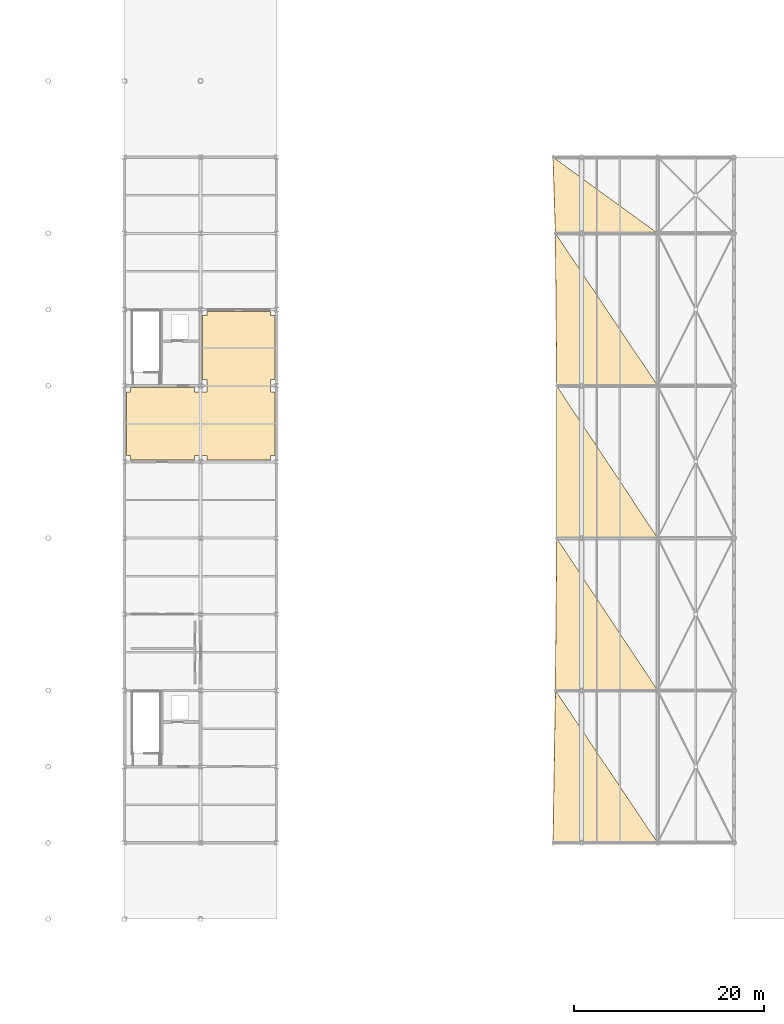
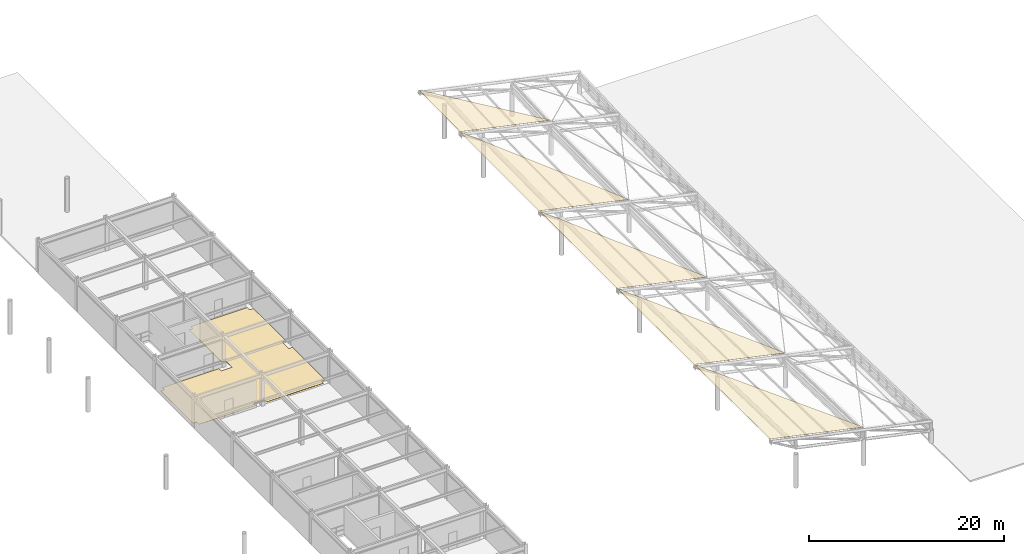
# One storey, part 54 of 54: 6 coverings, 1 element without a shape of its own.
"""IFC4 building model written with IfcOpenShell, lengths in metres."""

from ifc_helpers import new_model, si_unit, direction, frame, origin, place, context, subcontext, project, spatial, polyline, outline, extrude, material, layer, layer_set, type_object, element, aggregate, save


model = new_model("IFC4")

# Units and contexts
model_context = context("Model", 3, precision=1e-05, world=origin(), true_north=direction((0.0, 1.0)))
body_context = subcontext(model_context, "Body", "Model", "MODEL_VIEW")
ifc_project = project(units=[si_unit("LENGTHUNIT", "METRE"), si_unit("AREAUNIT", "SQUARE_METRE"), si_unit("VOLUMEUNIT", "CUBIC_METRE"), si_unit("PLANEANGLEUNIT", "RADIAN"), si_unit("MASSUNIT", "GRAM", prefix="KILO")], contexts=[model_context])

# Site, building, storey
site_placement = place(None, origin())
site = spatial("IfcSite", under=ifc_project, at=site_placement, CompositionType="ELEMENT")
building_placement = place(site_placement, origin())
building = spatial("IfcBuilding", under=site, at=building_placement, Name="Haebicheon Civic Stadium", CompositionType="ELEMENT")
storey_placement = place(building_placement, frame((0.0, 0.0, 22.800048828125)))
storey = spatial("IfcBuildingStorey", under=building, at=storey_placement, Name="L06", CompositionType="ELEMENT", Elevation=22.800048828125)

# Roof, coverings
ifc_material_1 = material(Name="White painted steel SM490", Category="steel")
roof_type = type_object("IfcRoofType", Name="ROOF-WING-CANOPY", PredefinedType="FREEFORM", material=ifc_material_1)
roof_placement = place(storey_placement, origin())
roof = element("IfcRoof", 1, at=roof_placement, inside=storey, type_object=roof_type, material=ifc_material_1, Name="Community Stand Curled Wing Canopy", PredefinedType="FREEFORM")
ifc_material_2 = material(Name="White fluoropolymer coated steel SM490", Category="steel")
ifc_layer_1 = layer(ifc_material_2, 0.02001953125, Name="White fluoropolymer coated steel SM490")
ifc_layer_set_1 = layer_set([ifc_layer_1], Name="White fluoropolymer coated steel SM490")
covering_type_1 = type_object("IfcCoveringType", Name="COV-CAN-MEM", PredefinedType="ROOFING", material=ifc_layer_set_1)
covering_1_placement = place(storey_placement, frame((200.0, 56.0, 4.679931640625), z_axis=(0.21012603826, 0.025776508997, 0.977334446149), x_axis=(-0.977659292425, 0.0, 0.210195879921)))
covering_1 = element("IfcCovering", 2, at=covering_1_placement, type_object=covering_type_1, material=ifc_layer_set_1, Name="CAN-COMM canopy coated steel membrane 1", PredefinedType="ROOFING", context=body_context, shape_type="SweptSolid", body=[
    extrude(outline(polyline([(0.0, 0.0), (11.251363419990003, -6.938893903907228e-18), (10.900707329384787, -16.005318077586843), (0.0, 0.0)])), origin(), (0.0, 0.0, -1.0), 0.02001953125),
])
covering_2_placement = place(storey_placement, frame((200.0, 72.0, 4.258056640625), z_axis=(0.210168271968, 0.012982666106, 0.977579023833), x_axis=(-0.977661419535, 0.0, 0.210185986098)))
covering_2 = element("IfcCovering", 3, at=covering_2_placement, type_object=covering_type_1, material=ifc_layer_set_1, Name="CAN-COMM canopy coated steel membrane 2", PredefinedType="ROOFING", context=body_context, shape_type="SweptSolid", body=[
    extrude(outline(polyline([(0.0, 0.0), (10.989383716789156, 3.469446951953614e-18), (10.813869212841139, -16.001348567431535), (0.0, 0.0)])), origin(), (0.0, 0.0, -1.0), 0.02001953125),
])
covering_3_placement = place(storey_placement, frame((200.0, 88.0, 4.0458984375), z_axis=(0.210157059366, 0.0, 0.977667638003), x_axis=(-0.977667638003, 0.0, 0.210157059366)))
covering_3 = element("IfcCovering", 4, at=covering_3_placement, type_object=covering_type_1, material=ifc_layer_set_1, Name="CAN-COMM canopy coated steel membrane 3", PredefinedType="ROOFING", context=body_context, shape_type="SweptSolid", body=[
    extrude(outline(polyline([(0.0, 0.0), (10.858461898726677, 0.0), (10.858461898726677, -16.0), (0.0, 0.0)])), origin(), (0.0, 0.0, -1.0), 0.02001953125),
])
covering_4_placement = place(storey_placement, frame((200.0, 104.0, 4.0458984375), z_axis=(0.210139346788, -0.012982990584, 0.977585237658), x_axis=(-0.977667638003, 0.0, 0.210157059366)))
covering_4 = element("IfcCovering", 5, at=covering_4_placement, type_object=covering_type_1, material=ifc_layer_set_1, Name="CAN-COMM canopy coated steel membrane 4", PredefinedType="ROOFING", context=body_context, shape_type="SweptSolid", body=[
    extrude(outline(polyline([(0.0, 0.0), (10.858461898726677, 0.0), (11.033970256068105, -16.001348634850835), (0.0, 0.0)])), origin(), (0.0, 0.0, -1.0), 0.02001953125),
])
covering_5_placement = place(storey_placement, frame((200.0, 120.0, 4.258056640625), z_axis=(0.209907044769, -0.051502156552, 0.976363948754), x_axis=(-0.977661419535, 0.0, 0.210185986098)))
covering_5 = element("IfcCovering", 6, at=covering_5_placement, type_object=covering_type_1, material=ifc_layer_set_1, Name="CAN-COMM canopy coated steel membrane 5", PredefinedType="ROOFING", context=body_context, shape_type="SweptSolid", body=[
    extrude(outline(polyline([(0.0, 0.0), (10.989383716789156, -2.7755575615628914e-17), (11.340035632299049, -8.010631042106233), (0.0, 0.0)])), origin(), (0.0, 0.0, -1.0), 0.02001953125),
])
aggregate(roof, [covering_1, covering_2, covering_3, covering_4, covering_5])

# Covering
ifc_material_3 = material(Name="Quartz epoxy resin mortar", Category="concrete")
ifc_layer_2 = layer(ifc_material_3, 0.030029296875, Name="Quartz epoxy resin mortar")
ifc_layer_set_2 = layer_set([ifc_layer_2], Name="Quartz epoxy resin mortar")
covering_type_2 = type_object("IfcCoveringType", Name="COV-FLR-EPX", PredefinedType="FLOORING", material=ifc_layer_set_2)
covering_6_placement = place(storey_placement, origin())
element("IfcCovering", 7, at=covering_6_placement, inside=storey, type_object=covering_type_2, material=ifc_layer_set_2, Name="L06 Sky-Box Hospitality Suite non-slip floor finish", PredefinedType="FLOORING", context=body_context, shape_type="SweptSolid", body=[
    extrude(outline(polyline([(144.199951171875, 103.35009765625), (144.64990234375, 103.35009765625), (144.64990234375, 103.800048828125), (151.35009765625, 103.800048828125), (151.35009765625, 103.35009765625), (152.64990234375, 103.35009765625), (152.64990234375, 104.64990234375), (152.199951171875, 104.64990234375), (152.199951171875, 111.35009765625), (152.64990234375, 111.35009765625), (152.64990234375, 111.800048828125), (159.35009765625, 111.800048828125), (159.35009765625, 111.35009765625), (159.800048828125, 111.35009765625), (159.800048828125, 104.64990234375), (159.35009765625, 104.64990234375), (159.35009765625, 103.35009765625), (159.800048828125, 103.35009765625), (159.800048828125, 96.64990234375), (159.35009765625, 96.64990234375), (159.35009765625, 96.199951171875), (152.64990234375, 96.199951171875), (152.64990234375, 96.64990234375), (151.35009765625, 96.64990234375), (151.35009765625, 96.199951171875), (144.64990234375, 96.199951171875), (144.64990234375, 96.64990234375), (144.199951171875, 96.64990234375), (144.199951171875, 103.35009765625)])), origin(), (0.0, 0.0, 1.0), 0.030029296875),
])

save(model, "model.ifc")
